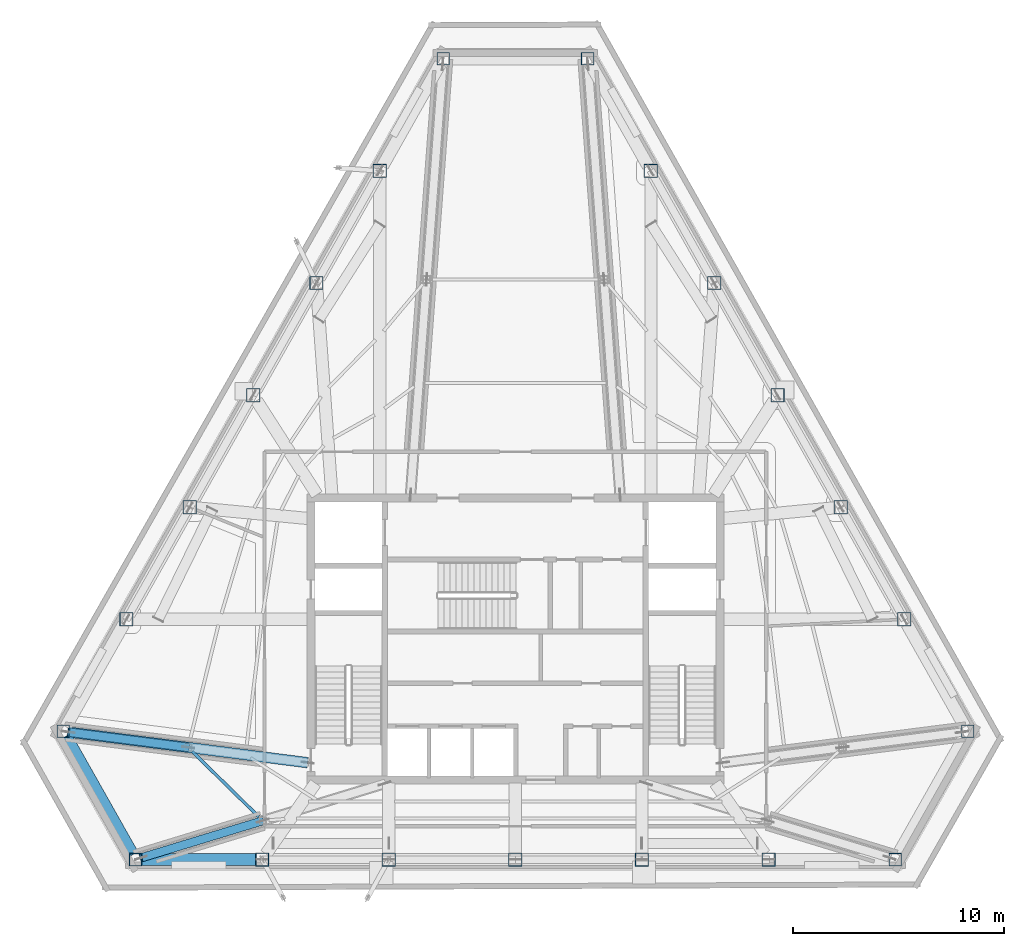
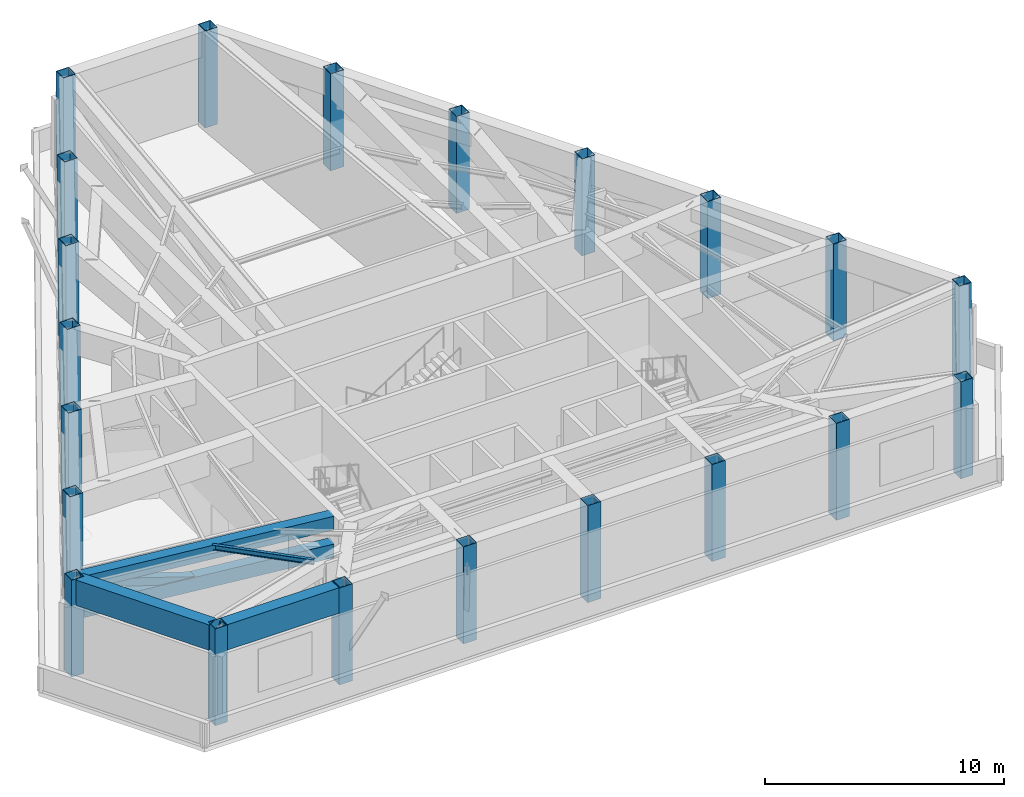
# One storey, part 1 of 13: 21 columns, 5 beams, 2 members.
"""IFC4 building model written with IfcOpenShell, lengths in metres."""

from ifc_helpers import new_model, si_unit, direction, frame, origin, origin_2d, place, context, subcontext, project, spatial, hollow_rectangle, i_section, extrude, material, material_profile, profile_set, type_object, element, save


model = new_model("IFC4")

# Units and contexts
model_context = context("Model", 3, precision=1e-05, world=origin(), true_north=direction((0.0, 1.0)))
body_context = subcontext(model_context, "Body", "Model", "MODEL_VIEW")
ifc_project = project(units=[si_unit("LENGTHUNIT", "METRE"), si_unit("AREAUNIT", "SQUARE_METRE"), si_unit("VOLUMEUNIT", "CUBIC_METRE"), si_unit("PLANEANGLEUNIT", "RADIAN"), si_unit("MASSUNIT", "GRAM", prefix="KILO")], contexts=[model_context])

# Site, building, storey
site_placement = place(None, origin())
site = spatial("IfcSite", under=ifc_project, at=site_placement, CompositionType="ELEMENT")
building_placement = place(site_placement, origin())
building = spatial("IfcBuilding", under=site, at=building_placement, Name="Kavelnor Concourse Tower", CompositionType="ELEMENT")
storey_placement = place(building_placement, frame((0.0, 0.0, 234.300048828125)))
storey = spatial("IfcBuildingStorey", under=building, at=storey_placement, Name="L59", CompositionType="ELEMENT", Elevation=234.300048828125)

# Columns
ifc_material = material(Name="Steel Grade 350", Category="steel")
ifc_material_profile_1 = material_profile(ifc_material, hollow_rectangle(XDim=0.60009765625, YDim=0.60009765625, WallThickness=0.028076171875, at=origin_2d()), Name="SHS 600x600x28")
ifc_profile_set_1 = profile_set([ifc_material_profile_1], Name="Steel Grade 350")
column_type_1 = type_object("IfcColumnType", Name="COL-FOLD-Z3", PredefinedType="COLUMN", material=ifc_profile_set_1)
for number, where, z_axis, x_axis, name in (
    (1, (34.571533203125, 43.643798828125, 0.0), (0.0, 0.0, 1.0), (1.0, 0.0, 0.0), "L59 Perimeter Corner-Fold Column F0-B0"),
    (2, (16.527099609375, 11.70703125, 0.0), (0.0, 0.0, 1.0), (1.0, 0.0, 0.0), "L59 Perimeter Corner-Fold Column F0-B6"),
    (3, (19.964599609375, 5.623291015625, 0.0), (0.0, 0.0, 1.0), (1.0, 0.0, 0.0), "L59 Perimeter Corner-Fold Column F1-B0"),
    (4, (56.035400390625, 5.623291015625, 0.0), (0.0, 0.0, 1.0), (1.0, 0.0, 0.0), "L59 Perimeter Corner-Fold Column F1-B6"),
    (5, (59.472900390625, 11.70703125, 0.0), (0.0, 0.0, 1.0), (1.0, 0.0, 0.0), "L59 Perimeter Corner-Fold Column F2-B0"),
    (6, (41.428466796875, 43.643798828125, 0.0), (0.0, 0.0, 1.0), (1.0, 0.0, 0.0), "L59 Perimeter Corner-Fold Column F2-B6"),
):
    element("IfcColumn", number, at=place(storey_placement, frame(where, z_axis=z_axis, x_axis=x_axis)), inside=storey, type_object=column_type_1, Name=name, PredefinedType="COLUMN", context=body_context, shape_type="SweptSolid", body=[
        extrude(hollow_rectangle(XDim=0.60009765625, YDim=0.60009765625, WallThickness=0.028076171875, at=origin_2d()), origin(), (0.0, 0.0, 1.0), 4.9599609375),
    ])
ifc_material_profile_2 = material_profile(ifc_material, hollow_rectangle(XDim=0.639892578125, YDim=0.639892578125, WallThickness=0.028076171875, at=origin_2d()), Name="SHS 640x640x28")
ifc_profile_set_2 = profile_set([ifc_material_profile_2], Name="Steel Grade 350")
column_type_2 = type_object("IfcColumnType", Name="COL-TUBE-Z3", PredefinedType="COLUMN", material=ifc_profile_set_2)
for number, where, z_axis, x_axis, name in (
    (7, (31.564208984375, 38.321044921875, 0.0), (0.0, 0.0, 1.0), (1.0, 0.0, 0.0), "L59 Perimeter Framed-Tube Column F0-B1"),
    (8, (28.556884765625, 32.998291015625, 0.0), (0.0, 0.0, 1.0), (1.0, 0.0, 0.0), "L59 Perimeter Framed-Tube Column F0-B2"),
    (9, (25.54931640625, 27.675537109375, 0.0), (0.0, 0.0, 1.0), (1.0, 0.0, 0.0), "L59 Perimeter Framed-Tube Column F0-B3"),
    (10, (22.5419921875, 22.3525390625, 0.0), (0.0, 0.0, 1.0), (1.0, 0.0, 0.0), "L59 Perimeter Framed-Tube Column F0-B4"),
    (11, (19.53466796875, 17.02978515625, 0.0), (0.0, 0.0, 1.0), (1.0, 0.0, 0.0), "L59 Perimeter Framed-Tube Column F0-B5"),
    (12, (25.976318359375, 5.623291015625, 0.0), (0.0, 0.0, 1.0), (1.0, 0.0, 0.0), "L59 Perimeter Framed-Tube Column F1-B1"),
    (13, (31.98828125, 5.623291015625, 0.0), (0.0, 0.0, 1.0), (1.0, 0.0, 0.0), "L59 Perimeter Framed-Tube Column F1-B2"),
    (14, (38.0, 5.623291015625, 0.0), (0.0, 0.0, 1.0), (1.0, 0.0, 0.0), "L59 Perimeter Framed-Tube Column F1-B3"),
    (15, (44.01171875, 5.623291015625, 0.0), (0.0, 0.0, 1.0), (1.0, 0.0, 0.0), "L59 Perimeter Framed-Tube Column F1-B4"),
    (16, (50.023681640625, 5.623291015625, 0.0), (0.0, 0.0, 1.0), (1.0, 0.0, 0.0), "L59 Perimeter Framed-Tube Column F1-B5"),
    (17, (56.46533203125, 17.02978515625, 0.0), (0.0, 0.0, 1.0), (1.0, 0.0, 0.0), "L59 Perimeter Framed-Tube Column F2-B1"),
    (18, (53.4580078125, 22.3525390625, 0.0), (0.0, 0.0, 1.0), (1.0, 0.0, 0.0), "L59 Perimeter Framed-Tube Column F2-B2"),
    (19, (50.45068359375, 27.675537109375, 0.0), (0.0, 0.0, 1.0), (1.0, 0.0, 0.0), "L59 Perimeter Framed-Tube Column F2-B3"),
    (20, (47.443115234375, 32.998291015625, 0.0), (0.0, 0.0, 1.0), (1.0, 0.0, 0.0), "L59 Perimeter Framed-Tube Column F2-B4"),
    (21, (44.435791015625, 38.321044921875, 0.0), (0.0, 0.0, 1.0), (1.0, 0.0, 0.0), "L59 Perimeter Framed-Tube Column F2-B5"),
):
    element("IfcColumn", number, at=place(storey_placement, frame(where, z_axis=z_axis, x_axis=x_axis)), inside=storey, type_object=column_type_2, Name=name, PredefinedType="COLUMN", context=body_context, shape_type="SweptSolid", body=[
        extrude(hollow_rectangle(XDim=0.639892578125, YDim=0.639892578125, WallThickness=0.028076171875, at=origin_2d()), origin(), (0.0, 0.0, 1.0), 4.9599609375),
    ])

# Beams
ifc_material_profile_3 = material_profile(ifc_material, i_section(OverallWidth=0.14599609375, OverallDepth=0.256103515625, WebThickness=0.00634765625, FlangeThickness=0.010986328125, at=origin_2d()), Name="250UB37")
ifc_profile_set_3 = profile_set([ifc_material_profile_3], Name="Steel Grade 350")
beam_type_1 = type_object("IfcBeamType", Name="BM-JOIST-250", PredefinedType="JOIST", material=ifc_profile_set_3)
beam_1_placement = place(storey_placement, frame((22.666259765625, 10.748779296875, 4.83203125), z_axis=(0.713677925241, -0.700473995965, 0.0), x_axis=(0.700473995965, 0.713677925241, 0.0)))
element("IfcBeam", 22, at=beam_1_placement, inside=storey, type_object=beam_type_1, Name="L59 Secondary Composite Joist 01-2", PredefinedType="JOIST", context=body_context, shape_type="SweptSolid", body=[
    extrude(i_section(OverallWidth=0.14599609375, OverallDepth=0.256103515625, WebThickness=0.00634765625, FlangeThickness=0.010986328125, at=origin_2d()), origin(), (0.0, 0.0, 1.0), 4.400634765625),
])
ifc_material_profile_4 = material_profile(ifc_material, hollow_rectangle(XDim=0.5, YDim=0.699951171875, WallThickness=0.031982421875, at=origin_2d()), Name="RHS 700x500x32")
ifc_profile_set_4 = profile_set([ifc_material_profile_4], Name="Steel Grade 350")
beam_type_2 = type_object("IfcBeamType", Name="BM-OUTRIG-CHORD-700", PredefinedType="BEAM", material=ifc_profile_set_4)
for number, where, z_axis, x_axis, name in (
    (23, (28.1396484375, 10.2216796875, 3.179931640625), (-0.991920048308, 0.126864564654, 0.0), (-0.126864564654, -0.991920048308, 0.0), "L59 Outrigger Truss Bottom Chord F0B"),
    (24, (28.1396484375, 10.2216796875, 4.599853515625), (-0.991920048308, 0.126864564654, 0.0), (-0.126864564654, -0.991920048308, 0.0), "L59 Outrigger Truss Top Chord F0B"),
):
    element("IfcBeam", number, at=place(storey_placement, frame(where, z_axis=z_axis, x_axis=x_axis)), inside=storey, type_object=beam_type_2, Name=name, PredefinedType="BEAM", context=body_context, shape_type="SweptSolid", body=[
        extrude(hollow_rectangle(XDim=0.5, YDim=0.699951171875, WallThickness=0.031982421875, at=origin_2d()), origin(), (0.0, 0.0, 1.0), 11.444580078125),
    ])
ifc_material_profile_5 = material_profile(ifc_material, hollow_rectangle(XDim=0.580078125, YDim=1.300048828125, WallThickness=0.0400390625, at=origin_2d()), Name="RHS 1300x580x40")
ifc_profile_set_5 = profile_set([ifc_material_profile_5], Name="Steel Grade 350")
beam_type_3 = type_object("IfcBeamType", Name="BM-SETBACK-XFER-1350", PredefinedType="BEAM", material=ifc_profile_set_5)
beam_2_placement = place(storey_placement, frame((20.2294921875, 5.623291015625, 4.31005859375), z_axis=(1.0, 0.0, 0.0), x_axis=(0.0, 1.0, 0.0)))
element("IfcBeam", 25, at=beam_2_placement, inside=storey, type_object=beam_type_3, Name="L59 Perimeter Tube Spandrel Beam F1-B0", PredefinedType="BEAM", context=body_context, shape_type="SweptSolid", body=[
    extrude(hollow_rectangle(XDim=0.580078125, YDim=1.300048828125, WallThickness=0.0400390625, at=origin_2d()), origin(), (0.0, 0.0, 1.0), 5.481689453125),
])
beam_3_placement = place(storey_placement, frame((16.65771484375, 11.476318359375, 4.31005859375), z_axis=(0.491874112862, -0.870666329369, 0.0), x_axis=(0.870666329369, 0.491874112862, 0.0)))
element("IfcBeam", 26, at=beam_3_placement, inside=storey, type_object=beam_type_3, Name="L59 Chamfer Facet Spandrel Beam C1", PredefinedType="BEAM", context=body_context, shape_type="SweptSolid", body=[
    extrude(hollow_rectangle(XDim=0.580078125, YDim=1.300048828125, WallThickness=0.0400390625, at=origin_2d()), origin(), (0.0, 0.0, 1.0), 6.45751953125),
])

# Members
ifc_material_profile_6 = material_profile(ifc_material, hollow_rectangle(XDim=0.39990234375, YDim=0.39990234375, WallThickness=0.02490234375, at=origin_2d()), Name="SHS 400x400x25")
ifc_profile_set_6 = profile_set([ifc_material_profile_6], Name="Steel Grade 350")
member_type = type_object("IfcMemberType", Name="MBR-OUTRIG-DIAG-400", PredefinedType="BRACE", material=ifc_profile_set_6)
member_1_placement = place(storey_placement, frame((22.463623046875, 10.94775390625, 3.179931640625), z_axis=(-0.962726105755, 0.123110013868, 0.240836811522), x_axis=(-0.126843575376, -0.991922732568, 0.0)))
element("IfcMember", 27, at=member_1_placement, inside=storey, type_object=member_type, Name="L59 Outrigger Truss Outer Diagonal F0B", PredefinedType="BRACE", context=body_context, shape_type="SweptSolid", body=[
    extrude(hollow_rectangle(XDim=0.39990234375, YDim=0.39990234375, WallThickness=0.02490234375, at=origin_2d()), origin(), (0.0, 0.0, 1.0), 5.895751953125),
])
member_2_placement = place(storey_placement, frame((26.009521484375, 7.46728515625, 3.179931640625), z_axis=(-0.931154609563, -0.284047754505, 0.228621884888), x_axis=(0.291775337626, -0.956486880387, 0.0)))
element("IfcMember", 28, at=member_2_placement, inside=storey, type_object=member_type, Name="L59 Outrigger Truss Outer Diagonal F1A", PredefinedType="BRACE", context=body_context, shape_type="SweptSolid", body=[
    extrude(hollow_rectangle(XDim=0.39990234375, YDim=0.39990234375, WallThickness=0.02490234375, at=origin_2d()), origin(), (0.0, 0.0, 1.0), 6.210693359375),
])

save(model, "model.ifc")
